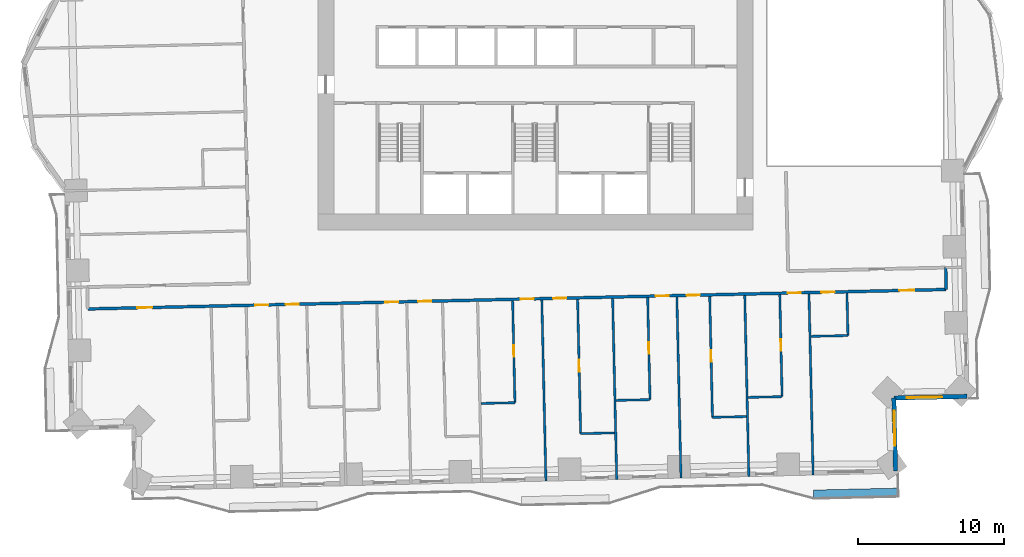
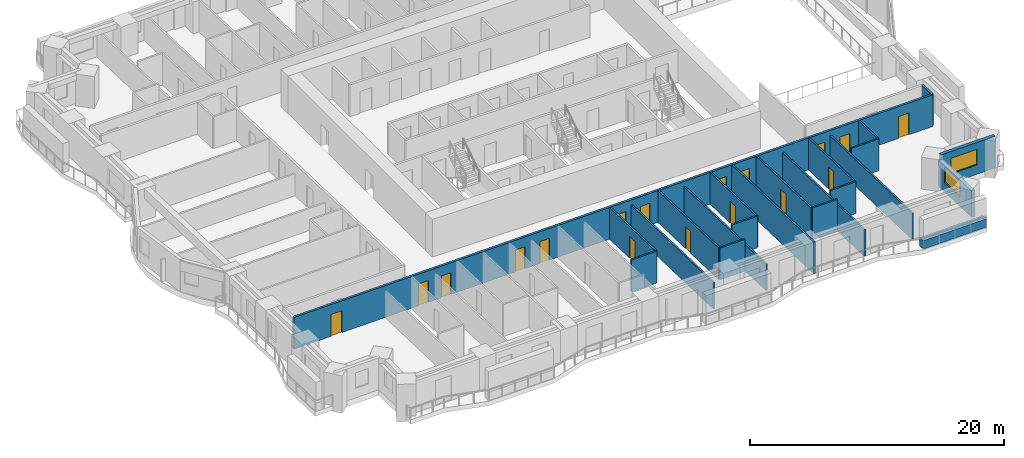
# One storey, part 7 of 16: 22 walls, 17 doors, 2 windows, 19 openings.
"""IFC4 building model written with IfcOpenShell, lengths in metres."""

from ifc_helpers import new_model, si_unit, direction, frame, frame_2d, origin, place, context, subcontext, project, spatial, rectangle, extrude, material, layer, layer_set, type_object, element, fill, save


model = new_model("IFC4")

# Units and contexts
model_context = context("Model", 3, precision=1e-05, world=origin(), true_north=direction((0.0, 1.0)))
body_context = subcontext(model_context, "Body", "Model", "MODEL_VIEW")
ifc_project = project(units=[si_unit("LENGTHUNIT", "METRE"), si_unit("AREAUNIT", "SQUARE_METRE"), si_unit("VOLUMEUNIT", "CUBIC_METRE"), si_unit("PLANEANGLEUNIT", "RADIAN"), si_unit("MASSUNIT", "GRAM", prefix="KILO")], contexts=[model_context])

# Site, building, storey
site_placement = place(None, origin())
site = spatial("IfcSite", under=ifc_project, at=site_placement, CompositionType="ELEMENT")
building_placement = place(site_placement, origin())
building = spatial("IfcBuilding", under=site, at=building_placement, Name="Mangrove Gate Tower", CompositionType="ELEMENT")
storey_placement = place(building_placement, frame((0.0, 0.0, 34.10009765625)))
storey = spatial("IfcBuildingStorey", under=building, at=storey_placement, Name="L07", CompositionType="ELEMENT", Elevation=34.10009765625)

# Wall, openings, doors
ifc_material_1 = material(Name="Gypsum board on steel stud, EI 60", Category="steel")
ifc_layer_1 = layer(ifc_material_1, 0.199951171875)
ifc_layer_set_1 = layer_set([ifc_layer_1], Name="Corridor wall EI 60")
wall_type_1 = type_object("IfcWallType", Name="Corridor wall EI 60", PredefinedType="PARTITIONING", material=ifc_layer_set_1)
wall_1_placement = place(storey_placement, frame((-30.652099609375, -17.31298828125, 0.0), z_axis=(0.0, 0.0, 1.0), x_axis=(0.999742623764, 0.02268669719, 0.0)))
wall_1 = element("IfcWall", 1, at=wall_1_placement, inside=storey, type_object=wall_type_1, Name="WALL-L07-031", PredefinedType="PARTITIONING", context=body_context, shape_type="SweptSolid", body=[
    extrude(rectangle(XDim=58.80029296875, YDim=0.199951171875, at=frame_2d((29.400146484375, 0.0))), origin(), (0.0, 0.0, 1.0), 3.0498046875),
])
opening_1_placement = place(wall_1_placement, frame((3.406005859375, 0.0, 0.0)))
opening_1 = element("IfcOpeningElement", 2, at=opening_1_placement, cuts=wall_1, Name="Opening AD", PredefinedType="OPENING", context=body_context, shape_type="SweptSolid", body=[
    extrude(rectangle(XDim=1.0, YDim=2.10009765625, at=frame_2d((0.5, 1.050048828125))), frame((0.0, 0.10986328125, 0.0), z_axis=(0.0, -1.0, 0.0), x_axis=(1.0, 0.0, 0.0)), (0.0, 0.0, 1.0), 0.219970703125),
])
opening_2_placement = place(wall_1_placement, frame((11.47509765625, 0.0, 0.0)))
opening_2 = element("IfcOpeningElement", 3, at=opening_2_placement, cuts=wall_1, Name="Opening BD", PredefinedType="OPENING", context=body_context, shape_type="SweptSolid", body=[
    extrude(rectangle(XDim=0.89990234375, YDim=2.10009765625, at=frame_2d((0.449951171875, 1.050048828125))), frame((0.0, 0.10986328125, 0.0), z_axis=(0.0, -1.0, 0.0), x_axis=(1.0, 0.0, 0.0)), (0.0, 0.0, 1.0), 0.219970703125),
])
opening_3_placement = place(wall_1_placement, frame((13.550048828125, 0.0, 0.0)))
opening_3 = element("IfcOpeningElement", 4, at=opening_3_placement, cuts=wall_1, Name="Opening BD", PredefinedType="OPENING", context=body_context, shape_type="SweptSolid", body=[
    extrude(rectangle(XDim=0.89990234375, YDim=2.10009765625, at=frame_2d((0.449951171875, 1.050048828125))), frame((0.0, 0.10986328125, 0.0), z_axis=(0.0, -1.0, 0.0), x_axis=(1.0, 0.0, 0.0)), (0.0, 0.0, 1.0), 0.219970703125),
])
opening_4_placement = place(wall_1_placement, frame((20.375, 0.0, 0.0)))
opening_4 = element("IfcOpeningElement", 5, at=opening_4_placement, cuts=wall_1, Name="Opening BD", PredefinedType="OPENING", context=body_context, shape_type="SweptSolid", body=[
    extrude(rectangle(XDim=0.89990234375, YDim=2.10009765625, at=frame_2d((0.449951171875, 1.050048828125))), frame((0.0, 0.10986328125, 0.0), z_axis=(0.0, -1.0, 0.0), x_axis=(1.0, 0.0, 0.0)), (0.0, 0.0, 1.0), 0.219970703125),
])
opening_5_placement = place(wall_1_placement, frame((22.625, 0.0, 0.0)))
opening_5 = element("IfcOpeningElement", 6, at=opening_5_placement, cuts=wall_1, Name="Opening BD", PredefinedType="OPENING", context=body_context, shape_type="SweptSolid", body=[
    extrude(rectangle(XDim=0.89990234375, YDim=2.10009765625, at=frame_2d((0.449951171875, 1.050048828125))), frame((0.0, 0.10986328125, 0.0), z_axis=(0.0, -1.0, 0.0), x_axis=(1.0, 0.0, 0.0)), (0.0, 0.0, 1.0), 0.219970703125),
])
opening_6_placement = place(wall_1_placement, frame((29.64990234375, 0.0, 0.0)))
opening_6 = element("IfcOpeningElement", 7, at=opening_6_placement, cuts=wall_1, Name="Opening BD", PredefinedType="OPENING", context=body_context, shape_type="SweptSolid", body=[
    extrude(rectangle(XDim=0.89990234375, YDim=2.10009765625, at=frame_2d((0.449951171875, 1.050048828125))), frame((0.0, 0.10986328125, 0.0), z_axis=(0.0, -1.0, 0.0), x_axis=(1.0, 0.0, 0.0)), (0.0, 0.0, 1.0), 0.219970703125),
])
opening_7_placement = place(wall_1_placement, frame((31.875, 0.0, 0.0)))
opening_7 = element("IfcOpeningElement", 8, at=opening_7_placement, cuts=wall_1, Name="Opening BD", PredefinedType="OPENING", context=body_context, shape_type="SweptSolid", body=[
    extrude(rectangle(XDim=0.89990234375, YDim=2.10009765625, at=frame_2d((0.449951171875, 1.050048828125))), frame((0.0, 0.10986328125, 0.0), z_axis=(0.0, -1.0, 0.0), x_axis=(1.0, 0.0, 0.0)), (0.0, 0.0, 1.0), 0.219970703125),
])
opening_8_placement = place(wall_1_placement, frame((38.89990234375, 0.0, 0.0)))
opening_8 = element("IfcOpeningElement", 9, at=opening_8_placement, cuts=wall_1, Name="Opening BD", PredefinedType="OPENING", context=body_context, shape_type="SweptSolid", body=[
    extrude(rectangle(XDim=0.89990234375, YDim=2.10009765625, at=frame_2d((0.449951171875, 1.050048828125))), frame((0.0, 0.10986328125, 0.0), z_axis=(0.0, -1.0, 0.0), x_axis=(1.0, 0.0, 0.0)), (0.0, 0.0, 1.0), 0.219970703125),
])
opening_9_placement = place(wall_1_placement, frame((41.02490234375, 0.0, 0.0)))
opening_9 = element("IfcOpeningElement", 10, at=opening_9_placement, cuts=wall_1, Name="Opening BD", PredefinedType="OPENING", context=body_context, shape_type="SweptSolid", body=[
    extrude(rectangle(XDim=0.89990234375, YDim=2.10009765625, at=frame_2d((0.449951171875, 1.050048828125))), frame((0.0, 0.10986328125, 0.0), z_axis=(0.0, -1.0, 0.0), x_axis=(1.0, 0.0, 0.0)), (0.0, 0.0, 1.0), 0.219970703125),
])
opening_10_placement = place(wall_1_placement, frame((47.949951171875, 0.0, 0.0)))
opening_10 = element("IfcOpeningElement", 11, at=opening_10_placement, cuts=wall_1, Name="Opening BD", PredefinedType="OPENING", context=body_context, shape_type="SweptSolid", body=[
    extrude(rectangle(XDim=0.89990234375, YDim=2.10009765625, at=frame_2d((0.449951171875, 1.050048828125))), frame((0.0, 0.10986328125, 0.0), z_axis=(0.0, -1.0, 0.0), x_axis=(1.0, 0.0, 0.0)), (0.0, 0.0, 1.0), 0.219970703125),
])
opening_11_placement = place(wall_1_placement, frame((55.60009765625, 0.0, 0.0)))
opening_11 = element("IfcOpeningElement", 12, at=opening_11_placement, cuts=wall_1, Name="Opening AD", PredefinedType="OPENING", context=body_context, shape_type="SweptSolid", body=[
    extrude(rectangle(XDim=1.0, YDim=2.10009765625, at=frame_2d((0.5, 1.050048828125))), frame((0.0, 0.10986328125, 0.0), z_axis=(0.0, -1.0, 0.0), x_axis=(1.0, 0.0, 0.0)), (0.0, 0.0, 1.0), 0.219970703125),
])
opening_12_placement = place(wall_1_placement, frame((50.25, 0.0, 0.0)))
opening_12 = element("IfcOpeningElement", 13, at=opening_12_placement, cuts=wall_1, Name="Opening SD", PredefinedType="OPENING", context=body_context, shape_type="SweptSolid", body=[
    extrude(rectangle(XDim=0.89990234375, YDim=2.10009765625, at=frame_2d((0.449951171875, 1.050048828125))), frame((0.0, 0.10986328125, 0.0), z_axis=(0.0, -1.0, 0.0), x_axis=(1.0, 0.0, 0.0)), (0.0, 0.0, 1.0), 0.219970703125),
])
ifc_material_2 = material(Name="Timber door leaf", Category="wood")
door_type_1 = type_object("IfcDoorType", Name="Amenity door 1000", OperationType="SINGLE_SWING_LEFT", PredefinedType="DOOR", material=ifc_material_2)
door_1_placement = place(opening_1_placement, origin())
door_1 = element("IfcDoor", 14, at=door_1_placement, inside=storey, type_object=door_type_1, Name="DOOR-L07-KIT-c1a", OperationType="SINGLE_SWING_LEFT", OverallHeight=2.10009765625, OverallWidth=1.0, PredefinedType="DOOR", context=body_context, shape_type="SweptSolid", body=[
    extrude(rectangle(XDim=1.0, YDim=2.10009765625, at=frame_2d((0.5, 1.050048828125))), frame((0.0, 0.02490234375, 0.0), z_axis=(0.0, -1.0, 0.0), x_axis=(1.0, 0.0, 0.0)), (0.0, 0.0, 1.0), 0.050048828125),
])
fill(opening_1, door_1)
door_2_placement = place(opening_11_placement, origin())
door_2 = element("IfcDoor", 15, at=door_2_placement, inside=storey, type_object=door_type_1, Name="DOOR-L07-GAM-c3a", OperationType="SINGLE_SWING_RIGHT", OverallHeight=2.10009765625, OverallWidth=1.0, PredefinedType="DOOR", context=body_context, shape_type="SweptSolid", body=[
    extrude(rectangle(XDim=1.0, YDim=2.10009765625, at=frame_2d((0.5, 1.050048828125))), frame((0.0, 0.02490234375, 0.0), z_axis=(0.0, -1.0, 0.0), x_axis=(1.0, 0.0, 0.0)), (0.0, 0.0, 1.0), 0.050048828125),
])
fill(opening_11, door_2)
ifc_material_3 = material(Name="Timber door leaf", Category="wood")
door_type_2 = type_object("IfcDoorType", Name="Bedroom door 900", OperationType="SINGLE_SWING_LEFT", PredefinedType="DOOR", material=ifc_material_3)
door_3_placement = place(opening_2_placement, origin())
door_3 = element("IfcDoor", 16, at=door_3_placement, inside=storey, type_object=door_type_2, Name="DOOR-L07-BED-c101", OperationType="SINGLE_SWING_LEFT", OverallHeight=2.10009765625, OverallWidth=0.89990234375, PredefinedType="DOOR", context=body_context, shape_type="SweptSolid", body=[
    extrude(rectangle(XDim=0.89990234375, YDim=2.10009765625, at=frame_2d((0.449951171875, 1.050048828125))), frame((0.0, 0.02490234375, 0.0), z_axis=(0.0, -1.0, 0.0), x_axis=(1.0, 0.0, 0.0)), (0.0, 0.0, 1.0), 0.050048828125),
])
fill(opening_2, door_3)
door_4_placement = place(opening_3_placement, origin())
door_4 = element("IfcDoor", 17, at=door_4_placement, inside=storey, type_object=door_type_2, Name="DOOR-L07-BED-c102", OperationType="SINGLE_SWING_RIGHT", OverallHeight=2.10009765625, OverallWidth=0.89990234375, PredefinedType="DOOR", context=body_context, shape_type="SweptSolid", body=[
    extrude(rectangle(XDim=0.89990234375, YDim=2.10009765625, at=frame_2d((0.449951171875, 1.050048828125))), frame((0.0, 0.02490234375, 0.0), z_axis=(0.0, -1.0, 0.0), x_axis=(1.0, 0.0, 0.0)), (0.0, 0.0, 1.0), 0.050048828125),
])
fill(opening_3, door_4)
door_5_placement = place(opening_4_placement, origin())
door_5 = element("IfcDoor", 18, at=door_5_placement, inside=storey, type_object=door_type_2, Name="DOOR-L07-BED-c103", OperationType="SINGLE_SWING_LEFT", OverallHeight=2.10009765625, OverallWidth=0.89990234375, PredefinedType="DOOR", context=body_context, shape_type="SweptSolid", body=[
    extrude(rectangle(XDim=0.89990234375, YDim=2.10009765625, at=frame_2d((0.449951171875, 1.050048828125))), frame((0.0, 0.02490234375, 0.0), z_axis=(0.0, -1.0, 0.0), x_axis=(1.0, 0.0, 0.0)), (0.0, 0.0, 1.0), 0.050048828125),
])
fill(opening_4, door_5)
door_6_placement = place(opening_5_placement, origin())
door_6 = element("IfcDoor", 19, at=door_6_placement, inside=storey, type_object=door_type_2, Name="DOOR-L07-BED-c104", OperationType="SINGLE_SWING_RIGHT", OverallHeight=2.10009765625, OverallWidth=0.89990234375, PredefinedType="DOOR", context=body_context, shape_type="SweptSolid", body=[
    extrude(rectangle(XDim=0.89990234375, YDim=2.10009765625, at=frame_2d((0.449951171875, 1.050048828125))), frame((0.0, 0.02490234375, 0.0), z_axis=(0.0, -1.0, 0.0), x_axis=(1.0, 0.0, 0.0)), (0.0, 0.0, 1.0), 0.050048828125),
])
fill(opening_5, door_6)
door_7_placement = place(opening_6_placement, origin())
door_7 = element("IfcDoor", 20, at=door_7_placement, inside=storey, type_object=door_type_2, Name="DOOR-L07-BED-c205", OperationType="SINGLE_SWING_LEFT", OverallHeight=2.10009765625, OverallWidth=0.89990234375, PredefinedType="DOOR", context=body_context, shape_type="SweptSolid", body=[
    extrude(rectangle(XDim=0.89990234375, YDim=2.10009765625, at=frame_2d((0.449951171875, 1.050048828125))), frame((0.0, 0.02490234375, 0.0), z_axis=(0.0, -1.0, 0.0), x_axis=(1.0, 0.0, 0.0)), (0.0, 0.0, 1.0), 0.050048828125),
])
fill(opening_6, door_7)
door_8_placement = place(opening_7_placement, origin())
door_8 = element("IfcDoor", 21, at=door_8_placement, inside=storey, type_object=door_type_2, Name="DOOR-L07-BED-c206", OperationType="SINGLE_SWING_RIGHT", OverallHeight=2.10009765625, OverallWidth=0.89990234375, PredefinedType="DOOR", context=body_context, shape_type="SweptSolid", body=[
    extrude(rectangle(XDim=0.89990234375, YDim=2.10009765625, at=frame_2d((0.449951171875, 1.050048828125))), frame((0.0, 0.02490234375, 0.0), z_axis=(0.0, -1.0, 0.0), x_axis=(1.0, 0.0, 0.0)), (0.0, 0.0, 1.0), 0.050048828125),
])
fill(opening_7, door_8)
door_9_placement = place(opening_8_placement, origin())
door_9 = element("IfcDoor", 22, at=door_9_placement, inside=storey, type_object=door_type_2, Name="DOOR-L07-BED-c207", OperationType="SINGLE_SWING_LEFT", OverallHeight=2.10009765625, OverallWidth=0.89990234375, PredefinedType="DOOR", context=body_context, shape_type="SweptSolid", body=[
    extrude(rectangle(XDim=0.89990234375, YDim=2.10009765625, at=frame_2d((0.449951171875, 1.050048828125))), frame((0.0, 0.02490234375, 0.0), z_axis=(0.0, -1.0, 0.0), x_axis=(1.0, 0.0, 0.0)), (0.0, 0.0, 1.0), 0.050048828125),
])
fill(opening_8, door_9)
door_10_placement = place(opening_9_placement, origin())
door_10 = element("IfcDoor", 23, at=door_10_placement, inside=storey, type_object=door_type_2, Name="DOOR-L07-BED-c208", OperationType="SINGLE_SWING_RIGHT", OverallHeight=2.10009765625, OverallWidth=0.89990234375, PredefinedType="DOOR", context=body_context, shape_type="SweptSolid", body=[
    extrude(rectangle(XDim=0.89990234375, YDim=2.10009765625, at=frame_2d((0.449951171875, 1.050048828125))), frame((0.0, 0.02490234375, 0.0), z_axis=(0.0, -1.0, 0.0), x_axis=(1.0, 0.0, 0.0)), (0.0, 0.0, 1.0), 0.050048828125),
])
fill(opening_9, door_10)
door_11_placement = place(opening_10_placement, origin())
door_11 = element("IfcDoor", 24, at=door_11_placement, inside=storey, type_object=door_type_2, Name="DOOR-L07-BED-c309", OperationType="SINGLE_SWING_LEFT", OverallHeight=2.10009765625, OverallWidth=0.89990234375, PredefinedType="DOOR", context=body_context, shape_type="SweptSolid", body=[
    extrude(rectangle(XDim=0.89990234375, YDim=2.10009765625, at=frame_2d((0.449951171875, 1.050048828125))), frame((0.0, 0.02490234375, 0.0), z_axis=(0.0, -1.0, 0.0), x_axis=(1.0, 0.0, 0.0)), (0.0, 0.0, 1.0), 0.050048828125),
])
fill(opening_10, door_11)
ifc_material_4 = material(Name="Timber door leaf", Category="wood")
door_type_3 = type_object("IfcDoorType", Name="Service room door 900", OperationType="SINGLE_SWING_LEFT", PredefinedType="DOOR", material=ifc_material_4)
door_12_placement = place(opening_12_placement, origin())
door_12 = element("IfcDoor", 25, at=door_12_placement, inside=storey, type_object=door_type_3, Name="DOOR-L07-AWC-c3a", OperationType="SINGLE_SWING_LEFT", OverallHeight=2.10009765625, OverallWidth=0.89990234375, PredefinedType="DOOR", context=body_context, shape_type="SweptSolid", body=[
    extrude(rectangle(XDim=0.89990234375, YDim=2.10009765625, at=frame_2d((0.449951171875, 1.050048828125))), frame((0.0, 0.02490234375, 0.0), z_axis=(0.0, -1.0, 0.0), x_axis=(1.0, 0.0, 0.0)), (0.0, 0.0, 1.0), 0.050048828125),
])
fill(opening_12, door_12)

# Wall
wall_2_placement = place(storey_placement, frame((28.133056640625, -15.97900390625, 0.0), z_axis=(0.0, 0.0, 1.0), x_axis=(-0.022632637625, 0.99974384905, 0.0)))
element("IfcWall", 26, at=wall_2_placement, inside=storey, type_object=wall_type_1, Name="WALL-L07-033", PredefinedType="PARTITIONING", context=body_context, shape_type="SweptSolid", body=[
    extrude(rectangle(XDim=1.49951171875, YDim=0.199951171875, at=frame_2d((0.749755859375, 0.0))), origin(), (0.0, 0.0, 1.0), 3.0498046875),
])

# Wall, opening, window
ifc_material_5 = material(Name="Limestone", Category="masonry")
ifc_layer_2 = layer(ifc_material_5, 0.0400390625, Name="Limestone cladding")
ifc_material_6 = material(Name="Ventilated air gap")
ifc_layer_3 = layer(ifc_material_6, 0.0400390625, Name="Ventilated cavity")
ifc_material_7 = material(Name="Mineral wool insulation")
ifc_layer_4 = layer(ifc_material_7, 0.06005859375, Name="Insulation")
ifc_material_8 = material(Name="Breather membrane")
ifc_layer_5 = layer(ifc_material_8, 0.001953125, Name="Breather membrane")
ifc_material_9 = material(Name="Concrete C20/25 blockwork", Category="masonry")
ifc_layer_6 = layer(ifc_material_9, 0.14990234375, Name="Blockwork backing wall")
ifc_material_10 = material(Name="Gypsum plaster")
ifc_layer_7 = layer(ifc_material_10, 0.008056640625, Name="Internal plaster")
ifc_layer_set_2 = layer_set([ifc_layer_2, ifc_layer_3, ifc_layer_4, ifc_layer_5, ifc_layer_6, ifc_layer_7], Name="External wall 300 limestone cladding")
wall_type_2 = type_object("IfcWallType", Name="External wall 300 limestone cladding", PredefinedType="SOLIDWALL", material=ifc_layer_set_2)
wall_3_placement = place(storey_placement, frame((24.6640625, -28.410888671875, 0.0), z_axis=(0.0, 0.0, 1.0), x_axis=(-0.022802372469, 0.999739992103, 0.0)))
wall_3 = element("IfcWall", 27, at=wall_3_placement, inside=storey, type_object=wall_type_2, Name="WALL-L07-E14", PredefinedType="SOLIDWALL", context=body_context, shape_type="SweptSolid", body=[
    extrude(rectangle(XDim=5.0, YDim=0.300048828125, at=frame_2d((2.5, 0.0))), origin(), (0.0, 0.0, 1.0), 2.5498046875),
])
opening_13_placement = place(wall_3_placement, frame((1.735107421875, 0.0, 0.89990234375)))
opening_13 = element("IfcOpeningElement", 28, at=opening_13_placement, cuts=wall_3, Name="Opening W2", PredefinedType="OPENING", context=body_context, shape_type="SweptSolid", body=[
    extrude(rectangle(XDim=2.39990234375, YDim=1.5, at=frame_2d((1.199951171875, 0.75))), frame((0.0, 0.159912109375, 0.0), z_axis=(0.0, -1.0, 0.0), x_axis=(1.0, 0.0, 0.0)), (0.0, 0.0, 1.0), 0.320068359375),
])
ifc_material_11 = material(Name="Aluminium frame with double-glazed low-e glass", Category="aluminium")
window_type = type_object("IfcWindowType", Name="Corner room window 2400x1500", PartitioningType="DOUBLE_PANEL_VERTICAL", PredefinedType="WINDOW", material=ifc_material_11)
window_1_placement = place(opening_13_placement, origin())
window_1 = element("IfcWindow", 29, at=window_1_placement, inside=storey, type_object=window_type, Name="WIN-L07-E14-1", OverallHeight=1.5, OverallWidth=2.39990234375, PartitioningType="DOUBLE_PANEL_VERTICAL", PredefinedType="WINDOW", context=body_context, shape_type="SweptSolid", body=[
    extrude(rectangle(XDim=2.39990234375, YDim=1.5, at=frame_2d((1.199951171875, 0.75))), frame((0.0, 0.030029296875, 0.0), z_axis=(0.0, -1.0, 0.0), x_axis=(1.0, 0.0, 0.0)), (0.0, 0.0, 1.0), 0.06005859375),
])
fill(opening_13, window_1)

wall_4_placement = place(storey_placement, frame((24.550048828125, -23.412109375, 0.0), z_axis=(0.0, 0.0, 1.0), x_axis=(0.999744450377, 0.022606059803, 0.0)))
wall_4 = element("IfcWall", 30, at=wall_4_placement, inside=storey, type_object=wall_type_2, Name="WALL-L07-S15", PredefinedType="SOLIDWALL", context=body_context, shape_type="SweptSolid", body=[
    extrude(rectangle(XDim=5.000244140625, YDim=0.300048828125, at=frame_2d((2.5, 0.0))), origin(), (0.0, 0.0, 1.0), 3.0498046875),
])
opening_14_placement = place(wall_4_placement, frame((0.89697265625, 0.0, 0.89990234375)))
opening_14 = element("IfcOpeningElement", 31, at=opening_14_placement, cuts=wall_4, Name="Opening W2", PredefinedType="OPENING", context=body_context, shape_type="SweptSolid", body=[
    extrude(rectangle(XDim=2.39990234375, YDim=1.5, at=frame_2d((1.199951171875, 0.75))), frame((0.0, 0.159912109375, 0.0), z_axis=(0.0, -1.0, 0.0), x_axis=(1.0, 0.0, 0.0)), (0.0, 0.0, 1.0), 0.320068359375),
])
window_2_placement = place(opening_14_placement, origin())
window_2 = element("IfcWindow", 32, at=window_2_placement, inside=storey, type_object=window_type, Name="WIN-L07-S15-1", OverallHeight=1.5, OverallWidth=2.39990234375, PartitioningType="DOUBLE_PANEL_VERTICAL", PredefinedType="WINDOW", context=body_context, shape_type="SweptSolid", body=[
    extrude(rectangle(XDim=2.39990234375, YDim=1.5, at=frame_2d((1.199951171875, 0.75))), frame((0.0, 0.030029296875, 0.0), z_axis=(0.0, -1.0, 0.0), x_axis=(1.0, 0.0, 0.0)), (0.0, 0.0, 1.0), 0.06005859375),
])
fill(opening_14, window_2)

# Walls
ifc_material_12 = material(Name="Gypsum board on steel stud, EI 60", Category="steel")
ifc_layer_8 = layer(ifc_material_12, 0.14990234375)
ifc_layer_set_3 = layer_set([ifc_layer_8], Name="Party wall 150 EI 60")
wall_type_3 = type_object("IfcWallType", Name="Party wall 150 EI 60", PredefinedType="PARTITIONING", material=ifc_layer_set_3)
for number, where, z_axis, x_axis, name in (
    (33, (0.722900390625, -29.10400390625, 0.0), (0.0, 0.0, 1.0), (-0.022663260168, 0.999743155335, 0.0), "WALL-L07-006"),
    (34, (5.572021484375, -28.993896484375, 0.0), (0.0, 0.0, 1.0), (-0.022663260168, 0.999743155335, 0.0), "WALL-L07-007"),
):
    element("IfcWall", number, at=place(storey_placement, frame(where, z_axis=z_axis, x_axis=x_axis)), inside=storey, type_object=wall_type_3, Name=name, PredefinedType="PARTITIONING", context=body_context, shape_type="SweptSolid", body=[
        extrude(rectangle(XDim=12.399169921875, YDim=0.14990234375, at=frame_2d((6.19970703125, 0.0))), origin(), (0.0, 0.0, 1.0), 2.5498046875),
    ])
wall_5_placement = place(storey_placement, frame((9.970947265625, -28.89404296875, 0.0), z_axis=(0.0, 0.0, 1.0), x_axis=(-0.022663260168, 0.999743155335, 0.0)))
element("IfcWall", 35, at=wall_5_placement, inside=storey, type_object=wall_type_3, Name="WALL-L07-008", PredefinedType="PARTITIONING", context=body_context, shape_type="SweptSolid", body=[
    extrude(rectangle(XDim=12.399169921875, YDim=0.14990234375, at=frame_2d((6.19970703125, 0.0))), origin(), (0.0, 0.0, 1.0), 3.0498046875),
])
for number, where, z_axis, x_axis, name in (
    (36, (14.6201171875, -28.7890625, 0.0), (0.0, 0.0, 1.0), (-0.022661475803, 0.999743195783, 0.0), "WALL-L07-009"),
    (37, (19.01904296875, -28.68896484375, 0.0), (0.0, 0.0, 1.0), (-0.022740189192, 0.999741408463, 0.0), "WALL-L07-010"),
):
    element("IfcWall", number, at=place(storey_placement, frame(where, z_axis=z_axis, x_axis=x_axis)), inside=storey, type_object=wall_type_3, Name=name, PredefinedType="PARTITIONING", context=body_context, shape_type="SweptSolid", body=[
        extrude(rectangle(XDim=12.400146484375, YDim=0.14990234375, at=frame_2d((6.2001953125, 0.0))), origin(), (0.0, 0.0, 1.0), 2.5498046875),
    ])
wall_6_placement = place(storey_placement, frame((3.10009765625, -25.85009765625, 0.0), z_axis=(0.0, 0.0, 1.0), x_axis=(0.999740478815, 0.022781023197, 0.0)))
element("IfcWall", 38, at=wall_6_placement, inside=storey, type_object=wall_type_3, Name="WALL-L07-013", PredefinedType="PARTITIONING", context=body_context, shape_type="SweptSolid", body=[
    extrude(rectangle(XDim=2.325439453125, YDim=0.14990234375, at=frame_2d((1.16259765625, 0.0))), origin(), (0.0, 0.0, 1.0), 3.0498046875),
])

# Wall, opening, door
wall_7_placement = place(storey_placement, frame((3.10009765625, -25.85009765625, 0.0), z_axis=(0.0, 0.0, 1.0), x_axis=(-0.022608685365, 0.999744391005, 0.0)))
wall_7 = element("IfcWall", 39, at=wall_7_placement, inside=storey, type_object=wall_type_3, Name="WALL-L07-014", PredefinedType="PARTITIONING", context=body_context, shape_type="SweptSolid", body=[
    extrude(rectangle(XDim=9.200439453125, YDim=0.14990234375, at=frame_2d((4.60009765625, 0.0))), origin(), (0.0, 0.0, 1.0), 3.0498046875),
])
opening_15_placement = place(wall_7_placement, frame((4.25, 0.0, 0.0)))
opening_15 = element("IfcOpeningElement", 40, at=opening_15_placement, cuts=wall_7, Name="Opening ED", PredefinedType="OPENING", context=body_context, shape_type="SweptSolid", body=[
    extrude(rectangle(XDim=0.800048828125, YDim=2.10009765625, at=frame_2d((0.39990234375, 1.050048828125))), frame((0.0, 0.0849609375, 0.0), z_axis=(0.0, -1.0, 0.0), x_axis=(1.0, 0.0, 0.0)), (0.0, 0.0, 1.0), 0.169921875),
])
ifc_material_13 = material(Name="Timber door leaf", Category="wood")
door_type_4 = type_object("IfcDoorType", Name="En-suite door 800", OperationType="SINGLE_SWING_LEFT", PredefinedType="DOOR", material=ifc_material_13)
door_13_placement = place(opening_15_placement, origin())
door_13 = element("IfcDoor", 41, at=door_13_placement, inside=storey, type_object=door_type_4, Name="DOOR-L07-ENS-c206", OperationType="SINGLE_SWING_RIGHT", OverallHeight=2.10009765625, OverallWidth=0.800048828125, PredefinedType="DOOR", context=body_context, shape_type="SweptSolid", body=[
    extrude(rectangle(XDim=0.800048828125, YDim=2.10009765625, at=frame_2d((0.39990234375, 1.050048828125))), frame((0.0, 0.02490234375, 0.0), z_axis=(0.0, -1.0, 0.0), x_axis=(1.0, 0.0, 0.0)), (0.0, 0.0, 1.0), 0.050048828125),
])
fill(opening_15, door_13)

# Wall
wall_8_placement = place(storey_placement, frame((12.126953125, -24.735107421875, 0.0), z_axis=(0.0, 0.0, 1.0), x_axis=(0.999738082346, 0.022885950011, 0.0)))
element("IfcWall", 42, at=wall_8_placement, inside=storey, type_object=wall_type_3, Name="WALL-L07-015", PredefinedType="PARTITIONING", context=body_context, shape_type="SweptSolid", body=[
    extrude(rectangle(XDim=2.325439453125, YDim=0.14990234375, at=frame_2d((1.16259765625, 0.0))), origin(), (0.0, 0.0, 1.0), 3.0498046875),
])

# Wall, opening, door
wall_9_placement = place(storey_placement, frame((12.126953125, -24.735107421875, 0.0), z_axis=(0.0, 0.0, 1.0), x_axis=(-0.022675916361, 0.99974286835, 0.0)))
wall_9 = element("IfcWall", 43, at=wall_9_placement, inside=storey, type_object=wall_type_3, Name="WALL-L07-016", PredefinedType="PARTITIONING", context=body_context, shape_type="SweptSolid", body=[
    extrude(rectangle(XDim=8.290283203125, YDim=0.14990234375, at=frame_2d((4.14501953125, 0.0))), origin(), (0.0, 0.0, 1.0), 3.0498046875),
])
opening_16_placement = place(wall_9_placement, frame((3.794921875, 0.0, 0.0)))
opening_16 = element("IfcOpeningElement", 44, at=opening_16_placement, cuts=wall_9, Name="Opening ED", PredefinedType="OPENING", context=body_context, shape_type="SweptSolid", body=[
    extrude(rectangle(XDim=0.800048828125, YDim=2.10009765625, at=frame_2d((0.39990234375, 1.050048828125))), frame((0.0, 0.0849609375, 0.0), z_axis=(0.0, -1.0, 0.0), x_axis=(1.0, 0.0, 0.0)), (0.0, 0.0, 1.0), 0.169921875),
])
door_14_placement = place(opening_16_placement, origin())
door_14 = element("IfcDoor", 45, at=door_14_placement, inside=storey, type_object=door_type_4, Name="DOOR-L07-ENS-c208", OperationType="SINGLE_SWING_RIGHT", OverallHeight=2.10009765625, OverallWidth=0.800048828125, PredefinedType="DOOR", context=body_context, shape_type="SweptSolid", body=[
    extrude(rectangle(XDim=0.800048828125, YDim=2.10009765625, at=frame_2d((0.39990234375, 1.050048828125))), frame((0.0, 0.02490234375, 0.0), z_axis=(0.0, -1.0, 0.0), x_axis=(1.0, 0.0, 0.0)), (0.0, 0.0, 1.0), 0.050048828125),
])
fill(opening_16, door_14)

# Wall
wall_10_placement = place(storey_placement, frame((-3.722900390625, -23.783935546875, 0.0), z_axis=(0.0, 0.0, 1.0), x_axis=(0.999740260747, 0.02279059109, 0.0)))
element("IfcWall", 46, at=wall_10_placement, inside=storey, type_object=wall_type_3, Name="WALL-L07-023", PredefinedType="PARTITIONING", context=body_context, shape_type="SweptSolid", body=[
    extrude(rectangle(XDim=2.324462890625, YDim=0.14990234375, at=frame_2d((1.162109375, 0.0))), origin(), (0.0, 0.0, 1.0), 3.0498046875),
])

# Wall, opening, door
wall_11_placement = place(storey_placement, frame((-1.39892578125, -23.73095703125, 0.0), z_axis=(0.0, 0.0, 1.0), x_axis=(-0.022630826984, 0.999743890039, 0.0)))
wall_11 = element("IfcWall", 47, at=wall_11_placement, inside=storey, type_object=wall_type_3, Name="WALL-L07-024", PredefinedType="PARTITIONING", context=body_context, shape_type="SweptSolid", body=[
    extrude(rectangle(XDim=6.979736328125, YDim=0.14990234375, at=frame_2d((3.48974609375, 0.0))), origin(), (0.0, 0.0, 1.0), 3.0498046875),
])
opening_17_placement = place(wall_11_placement, frame((3.139892578125, 0.0, 0.0)))
opening_17 = element("IfcOpeningElement", 48, at=opening_17_placement, cuts=wall_11, Name="Opening ED", PredefinedType="OPENING", context=body_context, shape_type="SweptSolid", body=[
    extrude(rectangle(XDim=0.800048828125, YDim=2.10009765625, at=frame_2d((0.39990234375, 1.050048828125))), frame((0.0, 0.0849609375, 0.0), z_axis=(0.0, -1.0, 0.0), x_axis=(1.0, 0.0, 0.0)), (0.0, 0.0, 1.0), 0.169921875),
])
door_15_placement = place(opening_17_placement, origin())
door_15 = element("IfcDoor", 49, at=door_15_placement, inside=storey, type_object=door_type_4, Name="DOOR-L07-ENS-c205", OperationType="SINGLE_SWING_LEFT", OverallHeight=2.10009765625, OverallWidth=0.800048828125, PredefinedType="DOOR", context=body_context, shape_type="SweptSolid", body=[
    extrude(rectangle(XDim=0.800048828125, YDim=2.10009765625, at=frame_2d((0.39990234375, 1.050048828125))), frame((0.0, 0.02490234375, 0.0), z_axis=(0.0, -1.0, 0.0), x_axis=(1.0, 0.0, 0.0)), (0.0, 0.0, 1.0), 0.050048828125),
])
fill(opening_17, door_15)

# Wall
wall_12_placement = place(storey_placement, frame((5.52392578125, -23.573974609375, 0.0), z_axis=(0.0, 0.0, 1.0), x_axis=(0.99974053329, 0.022778632478, 0.0)))
element("IfcWall", 50, at=wall_12_placement, inside=storey, type_object=wall_type_3, Name="WALL-L07-025", PredefinedType="PARTITIONING", context=body_context, shape_type="SweptSolid", body=[
    extrude(rectangle(XDim=2.32568359375, YDim=0.14990234375, at=frame_2d((1.162841796875, 0.0))), origin(), (0.0, 0.0, 1.0), 3.0498046875),
])

# Wall, opening, door
wall_13_placement = place(storey_placement, frame((7.84912109375, -23.52099609375, 0.0), z_axis=(0.0, 0.0, 1.0), x_axis=(-0.022805626844, 0.999739917871, 0.0)))
wall_13 = element("IfcWall", 51, at=wall_13_placement, inside=storey, type_object=wall_type_3, Name="WALL-L07-026", PredefinedType="PARTITIONING", context=body_context, shape_type="SweptSolid", body=[
    extrude(rectangle(XDim=6.979736328125, YDim=0.14990234375, at=frame_2d((3.48974609375, 0.0))), origin(), (0.0, 0.0, 1.0), 3.0498046875),
])
opening_18_placement = place(wall_13_placement, frame((3.139892578125, 0.0, 0.0)))
opening_18 = element("IfcOpeningElement", 52, at=opening_18_placement, cuts=wall_13, Name="Opening ED", PredefinedType="OPENING", context=body_context, shape_type="SweptSolid", body=[
    extrude(rectangle(XDim=0.800048828125, YDim=2.10009765625, at=frame_2d((0.39990234375, 1.050048828125))), frame((0.0, 0.0849609375, 0.0), z_axis=(0.0, -1.0, 0.0), x_axis=(1.0, 0.0, 0.0)), (0.0, 0.0, 1.0), 0.169921875),
])
door_16_placement = place(opening_18_placement, origin())
door_16 = element("IfcDoor", 53, at=door_16_placement, inside=storey, type_object=door_type_4, Name="DOOR-L07-ENS-c207", OperationType="SINGLE_SWING_LEFT", OverallHeight=2.10009765625, OverallWidth=0.800048828125, PredefinedType="DOOR", context=body_context, shape_type="SweptSolid", body=[
    extrude(rectangle(XDim=0.800048828125, YDim=2.10009765625, at=frame_2d((0.39990234375, 1.050048828125))), frame((0.0, 0.02490234375, 0.0), z_axis=(0.0, -1.0, 0.0), x_axis=(1.0, 0.0, 0.0)), (0.0, 0.0, 1.0), 0.050048828125),
])
fill(opening_18, door_16)

# Wall
wall_14_placement = place(storey_placement, frame((14.572021484375, -23.368896484375, 0.0), z_axis=(0.0, 0.0, 1.0), x_axis=(0.999740260747, 0.02279059109, 0.0)))
element("IfcWall", 54, at=wall_14_placement, inside=storey, type_object=wall_type_3, Name="WALL-L07-027", PredefinedType="PARTITIONING", context=body_context, shape_type="SweptSolid", body=[
    extrude(rectangle(XDim=2.324462890625, YDim=0.14990234375, at=frame_2d((1.162109375, 0.0))), origin(), (0.0, 0.0, 1.0), 3.0498046875),
])

# Wall, opening, door
wall_15_placement = place(storey_placement, frame((16.89599609375, -23.31591796875, 0.0), z_axis=(0.0, 0.0, 1.0), x_axis=(-0.022630826984, 0.999743890039, 0.0)))
wall_15 = element("IfcWall", 55, at=wall_15_placement, inside=storey, type_object=wall_type_3, Name="WALL-L07-028", PredefinedType="PARTITIONING", context=body_context, shape_type="SweptSolid", body=[
    extrude(rectangle(XDim=6.979736328125, YDim=0.14990234375, at=frame_2d((3.48974609375, 0.0))), origin(), (0.0, 0.0, 1.0), 3.0498046875),
])
opening_19_placement = place(wall_15_placement, frame((3.139892578125, 0.0, 0.0)))
opening_19 = element("IfcOpeningElement", 56, at=opening_19_placement, cuts=wall_15, Name="Opening ED", PredefinedType="OPENING", context=body_context, shape_type="SweptSolid", body=[
    extrude(rectangle(XDim=0.800048828125, YDim=2.10009765625, at=frame_2d((0.39990234375, 1.050048828125))), frame((0.0, 0.0849609375, 0.0), z_axis=(0.0, -1.0, 0.0), x_axis=(1.0, 0.0, 0.0)), (0.0, 0.0, 1.0), 0.169921875),
])
door_17_placement = place(opening_19_placement, origin())
door_17 = element("IfcDoor", 57, at=door_17_placement, inside=storey, type_object=door_type_4, Name="DOOR-L07-ENS-c309", OperationType="SINGLE_SWING_LEFT", OverallHeight=2.10009765625, OverallWidth=0.800048828125, PredefinedType="DOOR", context=body_context, shape_type="SweptSolid", body=[
    extrude(rectangle(XDim=0.800048828125, YDim=2.10009765625, at=frame_2d((0.39990234375, 1.050048828125))), frame((0.0, 0.02490234375, 0.0), z_axis=(0.0, -1.0, 0.0), x_axis=(1.0, 0.0, 0.0)), (0.0, 0.0, 1.0), 0.050048828125),
])
fill(opening_19, door_17)

# Walls
wall_16_placement = place(storey_placement, frame((18.8779296875, -19.18994140625, 0.0), z_axis=(0.0, 0.0, 1.0), x_axis=(0.999746356616, 0.022521599255, 0.0)))
element("IfcWall", 58, at=wall_16_placement, inside=storey, type_object=wall_type_3, Name="WALL-L07-029", PredefinedType="PARTITIONING", context=body_context, shape_type="SweptSolid", body=[
    extrude(rectangle(XDim=2.52587890625, YDim=0.14990234375, at=frame_2d((1.262939453125, 0.0))), origin(), (0.0, 0.0, 1.0), 3.0498046875),
])
wall_17_placement = place(storey_placement, frame((21.403076171875, -19.133056640625, 0.0), z_axis=(0.0, 0.0, 1.0), x_axis=(-0.022807433839, 0.999739876649, 0.0)))
element("IfcWall", 59, at=wall_17_placement, inside=storey, type_object=wall_type_3, Name="WALL-L07-030", PredefinedType="PARTITIONING", context=body_context, shape_type="SweptSolid", body=[
    extrude(rectangle(XDim=2.90087890625, YDim=0.14990234375, at=frame_2d((1.450439453125, 0.0))), origin(), (0.0, 0.0, 1.0), 3.0498046875),
])
ifc_material_14 = material(Name="Concrete C32/40", Category="concrete")
ifc_layer_9 = layer(ifc_material_14, 0.199951171875, Name="Planter trough wall")
ifc_material_15 = material(Name="Bituminous waterproofing membrane")
ifc_layer_10 = layer(ifc_material_15, 0.0048828125, Name="Waterproofing")
ifc_material_16 = material(Name="Drainage board and gravel")
ifc_layer_11 = layer(ifc_material_16, 0.044921875, Name="Drainage layer")
ifc_material_17 = material(Name="Planting soil")
ifc_layer_12 = layer(ifc_material_17, 0.300048828125, Name="Growing medium")
ifc_layer_set_4 = layer_set([ifc_layer_9, ifc_layer_10, ifc_layer_11, ifc_layer_12], Name="Planter wall 550 C32/40")
wall_type_4 = type_object("IfcWallType", Name="Planter wall 550 C32/40", PredefinedType="USERDEFINED", material=ifc_layer_set_4)
wall_18_placement = place(storey_placement, frame((19.048095703125, -29.988037109375, 0.0), z_axis=(0.0, 0.0, 1.0), x_axis=(0.999744436995, 0.02260665162, 0.0)))
element("IfcWall", 60, at=wall_18_placement, inside=storey, type_object=wall_type_4, Name="PLANTER L07 S1.2", ObjectType="PLANTER", PredefinedType="USERDEFINED", context=body_context, shape_type="SweptSolid", body=[
    extrude(rectangle(XDim=5.79931640625, YDim=0.550048828125, at=frame_2d((2.899658203125, 0.0))), origin(), (0.0, 0.0, 1.0), 0.7998046875),
])

save(model, "model.ifc")
